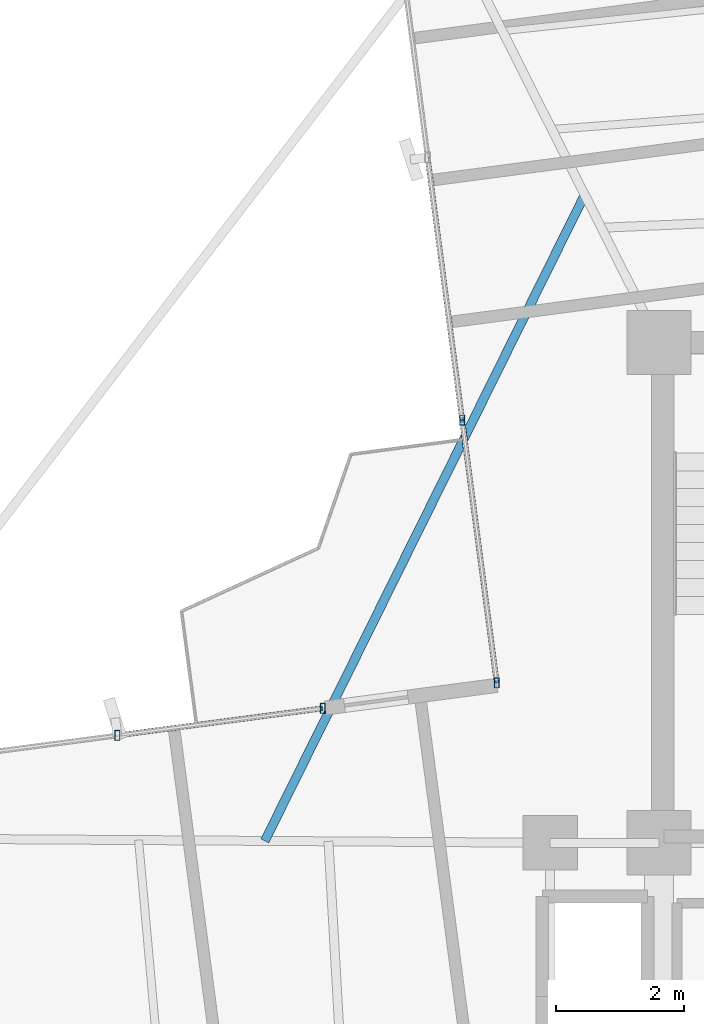
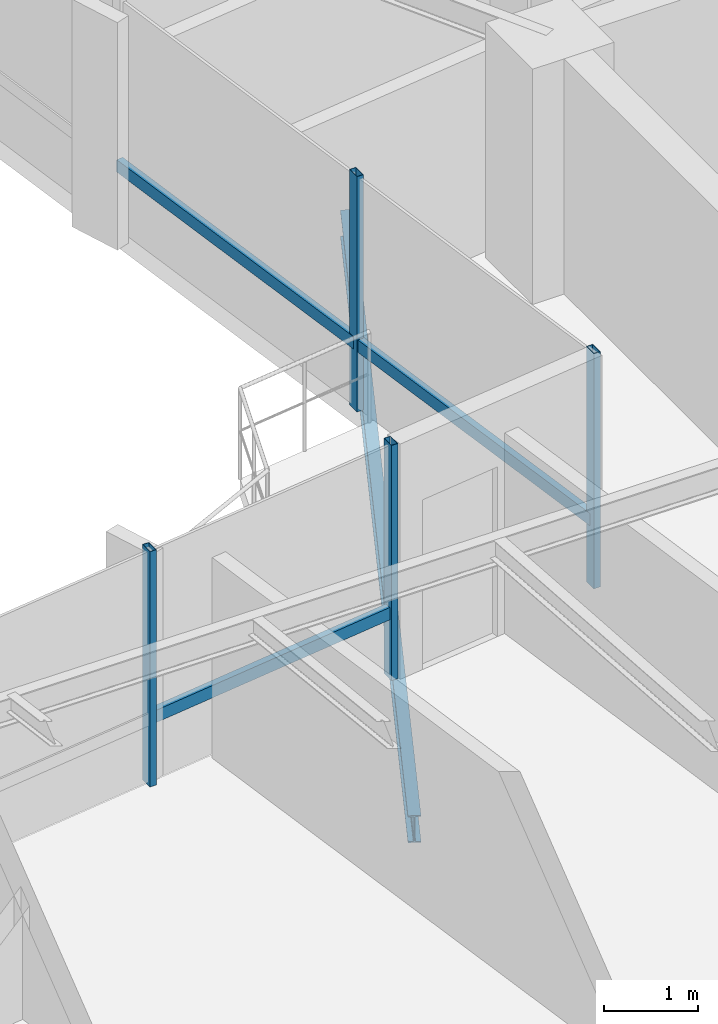
# One storey, part 9 of 23: 7 members, 1 beam, 2 elements without a shape of their own.
"""IFC4 building model written with IfcOpenShell, lengths in metres."""

from ifc_helpers import new_model, si_unit, direction, frame, origin, origin_2d, place, context, subcontext, project, spatial, hollow_rectangle, i_section, extrude, source, transform, mapped, material, material_profile, profile_set, type_object, element, aggregate, save


model = new_model("IFC4")

# Units and contexts
model_context = context("Model", 3, precision=1e-05, world=origin(), true_north=direction((0.0, 1.0)))
body_context = subcontext(model_context, "Body", "Model", "MODEL_VIEW")
ifc_project = project(units=[si_unit("LENGTHUNIT", "METRE"), si_unit("AREAUNIT", "SQUARE_METRE"), si_unit("VOLUMEUNIT", "CUBIC_METRE"), si_unit("PLANEANGLEUNIT", "RADIAN"), si_unit("MASSUNIT", "GRAM", prefix="KILO")], contexts=[model_context])

# Site, building, storey
site_placement = place(None, origin())
site = spatial("IfcSite", under=ifc_project, at=site_placement, CompositionType="ELEMENT")
building_placement = place(site_placement, origin())
building = spatial("IfcBuilding", under=site, at=building_placement, Name="Sahyath Konkavel Grand Hotel", CompositionType="ELEMENT")
storey_placement = place(building_placement, frame((0.0, 0.0, 226.60009765625)))
storey = spatial("IfcBuildingStorey", under=building, at=storey_placement, Name="L63", CompositionType="ELEMENT", Elevation=226.60009765625)

# Curtain wall, members
ifc_material_1 = material(Name="Anodised Bronze Aluminium & Low-E Glazing", Category="aluminium")
curtain_wall_type = type_object("IfcCurtainWallType", Name="CW-ZONE4", PredefinedType="NOTDEFINED", material=ifc_material_1)
curtain_wall_1_placement = place(storey_placement, origin())
curtain_wall_1 = element("IfcCurtainWall", 1, at=curtain_wall_1_placement, inside=storey, type_object=curtain_wall_type, Name="L63 Unitised Curtain Wall F15", PredefinedType="NOTDEFINED")
ifc_material_2 = material(Name="Anodised Bronze Aluminium", Category="aluminium")
ifc_material_profile_1 = material_profile(ifc_material_2, hollow_rectangle(XDim=0.080078125, YDim=0.159912109375, WallThickness=0.006103515625, at=origin_2d()), Name="RHS 160x80x6")
ifc_profile_set_1 = profile_set([ifc_material_profile_1], Name="Anodised Bronze Aluminium")
member_type_1 = type_object("IfcMemberType", Name="CW-MUL-160", PredefinedType="MULLION", material=ifc_profile_set_1)
shared_shape_1 = source(origin(), body_context, "Body", "SweptSolid", [
    extrude(hollow_rectangle(XDim=0.080078125, YDim=0.159912109375, WallThickness=0.006103515625, at=origin_2d()), origin(), (0.0, 0.0, 1.0), 3.0498046875),
])
member_1_placement = place(storey_placement, frame((-6.8701171875, 8.989013671875, 0.0), z_axis=(0.0, 0.0, 1.0), x_axis=(1.0, 0.0, 0.0)))
member_1 = element("IfcMember", 2, at=member_1_placement, type_object=member_type_1, Name="L63 Curtain Wall Mullion F15-2", PredefinedType="MULLION", context=body_context, shape_type="MappedRepresentation", body=[
    mapped(shared_shape_1, transform((0.0, 0.0, 0.0), scale=1.0)),
])
member_2_placement = place(storey_placement, frame((-6.330810546875, 4.8935546875, 0.0), z_axis=(0.0, 0.0, 1.0), x_axis=(1.0, 0.0, 0.0)))
member_2 = element("IfcMember", 3, at=member_2_placement, type_object=member_type_1, Name="L63 Curtain Wall Mullion F15-3", PredefinedType="MULLION", context=body_context, shape_type="MappedRepresentation", body=[
    mapped(shared_shape_1, transform((0.0, 0.0, 0.0), scale=1.0)),
])

curtain_wall_2_placement = place(storey_placement, origin())
curtain_wall_2 = element("IfcCurtainWall", 4, at=curtain_wall_2_placement, inside=storey, type_object=curtain_wall_type, Name="L63 Unitised Curtain Wall F16", PredefinedType="NOTDEFINED")
member_3_placement = place(storey_placement, frame((-9.042236328125, 4.496337890625, 0.0), z_axis=(0.0, 0.0, 1.0), x_axis=(1.0, 0.0, 0.0)))
member_3 = element("IfcMember", 5, at=member_3_placement, type_object=member_type_1, Name="L63 Curtain Wall Mullion F16-0", PredefinedType="MULLION", context=body_context, shape_type="MappedRepresentation", body=[
    mapped(shared_shape_1, transform((0.0, 0.0, 0.0), scale=1.0)),
])
member_4_placement = place(storey_placement, frame((-12.245361328125, 4.07470703125, 0.0), z_axis=(0.0, 0.0, 1.0), x_axis=(1.0, 0.0, 0.0)))
member_4 = element("IfcMember", 6, at=member_4_placement, type_object=member_type_1, Name="L63 Curtain Wall Mullion F16-1", PredefinedType="MULLION", context=body_context, shape_type="MappedRepresentation", body=[
    mapped(shared_shape_1, transform((0.0, 0.0, 0.0), scale=1.0)),
])
ifc_material_profile_2 = material_profile(ifc_material_2, hollow_rectangle(XDim=0.080078125, YDim=0.159912109375, WallThickness=0.006103515625, at=origin_2d()), Name="RHS 160x80x6")
ifc_profile_set_2 = profile_set([ifc_material_profile_2], Name="Anodised Bronze Aluminium")
member_type_2 = type_object("IfcMemberType", Name="CW-TRN-160", PredefinedType="USERDEFINED", material=ifc_profile_set_2)
shared_shape_2 = source(origin(), body_context, "Body", "SweptSolid", [
    extrude(hollow_rectangle(XDim=0.080078125, YDim=0.159912109375, WallThickness=0.006103515625, at=origin_2d()), origin(), (0.0, 0.0, 1.0), 3.230712890625),
])
member_5_placement = place(storey_placement, frame((-9.042236328125, 4.496337890625, 0.849853515625), z_axis=(-0.991447606837, -0.130505336662, 0.0), x_axis=(0.130505336662, -0.991447606837, 0.0)))
member_5 = element("IfcMember", 7, at=member_5_placement, type_object=member_type_2, Name="L63 Curtain Wall Transom F16-0-spandrel", ObjectType="TRANSOM", PredefinedType="USERDEFINED", context=body_context, shape_type="MappedRepresentation", body=[
    mapped(shared_shape_2, transform((0.0, 0.0, 0.0), scale=1.0)),
])
aggregate(curtain_wall_2, [member_3, member_4, member_5])

# Member
shared_shape_3 = source(origin(), body_context, "Body", "SweptSolid", [
    extrude(hollow_rectangle(XDim=0.080078125, YDim=0.159912109375, WallThickness=0.006103515625, at=origin_2d()), origin(), (0.0, 0.0, 1.0), 4.130615234375),
])
member_6_placement = place(storey_placement, frame((-7.4091796875, 13.084228515625, 0.849853515625), z_axis=(0.130506496881, -0.991447454115, 0.0), x_axis=(0.991447454115, 0.130506496881, 0.0)))
member_6 = element("IfcMember", 8, at=member_6_placement, type_object=member_type_2, Name="L63 Curtain Wall Transom F15-1-spandrel", ObjectType="TRANSOM", PredefinedType="USERDEFINED", context=body_context, shape_type="MappedRepresentation", body=[
    mapped(shared_shape_3, transform((0.0, 0.0, 0.0), scale=1.0)),
])

shared_shape_4 = source(origin(), body_context, "Body", "SweptSolid", [
    extrude(hollow_rectangle(XDim=0.080078125, YDim=0.159912109375, WallThickness=0.006103515625, at=origin_2d()), origin(), (0.0, 0.0, 1.0), 4.130859375),
])
member_7_placement = place(storey_placement, frame((-6.8701171875, 8.989013671875, 0.849853515625), z_axis=(0.130556945105, -0.991440812194, 0.0), x_axis=(0.991440812194, 0.130556945105, 0.0)))
member_7 = element("IfcMember", 9, at=member_7_placement, type_object=member_type_2, Name="L63 Curtain Wall Transom F15-2-spandrel", ObjectType="TRANSOM", PredefinedType="USERDEFINED", context=body_context, shape_type="MappedRepresentation", body=[
    mapped(shared_shape_4, transform((0.0, 0.0, 0.0), scale=1.0)),
])

aggregate(curtain_wall_1, [member_1, member_2, member_6, member_7])

# Beam
ifc_material_3 = material(Name="Steel E350", Category="steel")
ifc_material_profile_3 = material_profile(ifc_material_3, i_section(OverallWidth=0.139892578125, OverallDepth=0.35009765625, WebThickness=0.008056640625, FlangeThickness=0.01416015625, FilletRadius=0.013916015625, at=origin_2d()), Name="ISMB 350")
ifc_profile_set_3 = profile_set([ifc_material_profile_3], Name="Steel E350")
beam_type = type_object("IfcBeamType", Name="BM-BALC-CANT", PredefinedType="BEAM", material=ifc_profile_set_3)
shared_shape_5 = source(origin(), body_context, "Body", "SweptSolid", [
    extrude(i_section(OverallWidth=0.139892578125, OverallDepth=0.35009765625, WebThickness=0.008056640625, FlangeThickness=0.01416015625, FilletRadius=0.013916015625, at=origin_2d()), origin(), (0.0, 0.0, 1.0), 11.24072265625),
])
beam_placement = place(storey_placement, frame((-4.958740234375, 12.503662109375, -0.4150390625), z_axis=(-0.443682895489, -0.89618384735, 0.0), x_axis=(0.89618384735, -0.443682895489, 0.0)))
element("IfcBeam", 10, at=beam_placement, inside=storey, type_object=beam_type, Name="L63 Balcony Cantilever Support Beam NW", PredefinedType="BEAM", context=body_context, shape_type="MappedRepresentation", body=[
    mapped(shared_shape_5, transform((0.0, 0.0, 0.0), scale=1.0)),
])

save(model, "model.ifc")
